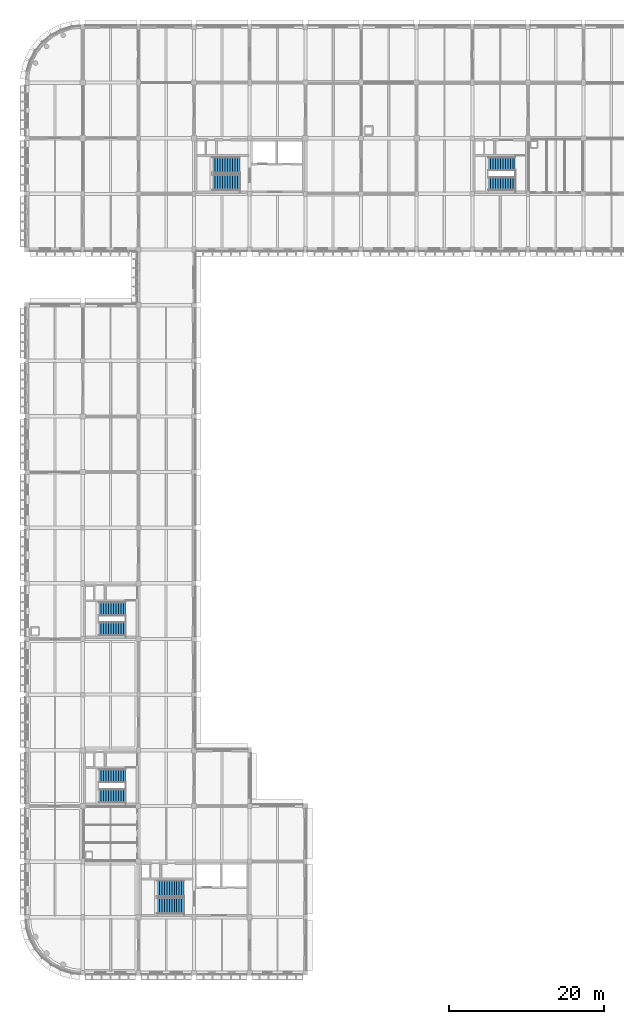
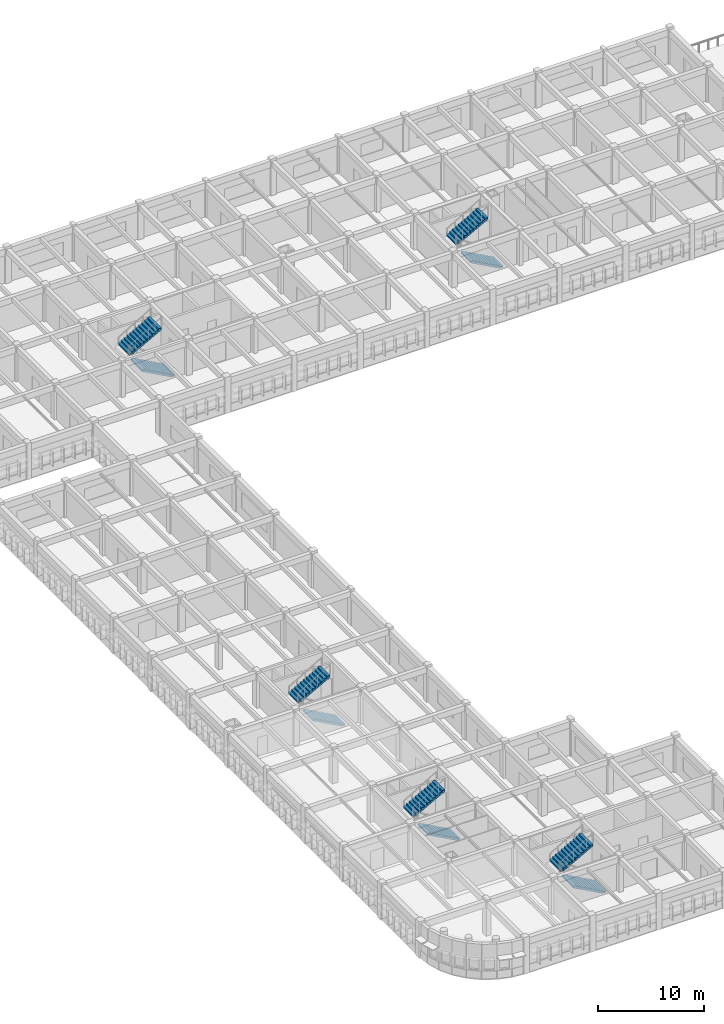
# One storey, part 32 of 38: 10 stair flights, 5 elements without a shape of their own.
"""IFC4 building model written with IfcOpenShell, lengths in metres."""

from ifc_helpers import new_model, si_unit, direction, frame, origin, place, context, subcontext, project, spatial, polyline, outline, extrude, material, type_object, element, aggregate, save


model = new_model("IFC4")

# Units and contexts
model_context = context("Model", 3, precision=1e-05, world=origin(), true_north=direction((0.0, 1.0)))
body_context = subcontext(model_context, "Body", "Model", "MODEL_VIEW")
ifc_project = project(units=[si_unit("LENGTHUNIT", "METRE"), si_unit("AREAUNIT", "SQUARE_METRE"), si_unit("VOLUMEUNIT", "CUBIC_METRE"), si_unit("PLANEANGLEUNIT", "RADIAN"), si_unit("MASSUNIT", "GRAM", prefix="KILO")], contexts=[model_context])

# Site, building, storey
site_placement = place(None, origin())
site = spatial("IfcSite", under=ifc_project, at=site_placement, CompositionType="ELEMENT")
building_placement = place(site_placement, origin())
building = spatial("IfcBuilding", under=site, at=building_placement, Name="Thalmaran Polytechnic", CompositionType="ELEMENT")
storey_placement = place(building_placement, frame((0.0, 0.0, 18.60009765625)))
storey = spatial("IfcBuildingStorey", under=building, at=storey_placement, Name="L04", CompositionType="ELEMENT", Elevation=18.60009765625)

# Stair, stair flights
ifc_material = material(Name="Concrete C40/50", Category="concrete")
stair_type = type_object("IfcStairType", Name="ST-HT42", PredefinedType="HALF_TURN_STAIR", material=ifc_material)
stair_1_placement = place(storey_placement, origin())
stair_1 = element("IfcStair", 1, at=stair_1_placement, inside=storey, type_object=stair_type, Name="Exit Stair ST1 L04", PredefinedType="HALF_TURN_STAIR")
stair_flight_type = type_object("IfcStairFlightType", Name="SF-FL13", PredefinedType="STRAIGHT", material=ifc_material)
stair_flight_1_placement = place(storey_placement, frame((20.320068359375, 8.56005859375, 0.0), z_axis=(0.0, 0.0, 1.0), x_axis=(-1.0, 0.0, 0.0)))
stair_flight_1 = element("IfcStairFlight", 2, at=stair_flight_1_placement, type_object=stair_flight_type, Name="Stair Flight ST1 L04 Lower", NumberOfRisers=12, NumberOfTreads=11, PredefinedType="STRAIGHT", RiserHeight=0.175, TreadLength=0.32, context=body_context, shape_type="SweptSolid", body=[
    extrude(outline(polyline([(0.0, 0.0), (0.0, 0.175048828125), (0.320068359375, 0.175048828125), (0.320068359375, 0.35009765625), (0.639892578125, 0.35009765625), (0.639892578125, 0.52490234375), (0.9599609375, 0.52490234375), (0.9599609375, 0.699951171875), (1.280029296875, 0.699951171875), (1.280029296875, 0.875), (1.60009765625, 0.875), (1.60009765625, 1.050048828125), (1.919921875, 1.050048828125), (1.919921875, 1.22509765625), (2.239990234375, 1.22509765625), (2.239990234375, 1.39990234375), (2.56005859375, 1.39990234375), (2.56005859375, 1.574951171875), (2.8798828125, 1.574951171875), (2.8798828125, 1.75), (3.199951171875, 1.75), (3.199951171875, 1.925048828125), (3.52001953125, 1.925048828125), (3.52001953125, 2.10009765625), (3.52001953125, 1.719970703125), (0.375, 0.0), (0.0, 0.0)])), frame((0.0, 1.080078125, 0.0), z_axis=(0.0, -1.0, 0.0), x_axis=(1.0, 0.0, 0.0)), (0.0, 0.0, 1.0), 2.159912109375),
])
stair_flight_2_placement = place(storey_placement, frame((16.800048828125, 11.02001953125, 2.099853515625), z_axis=(0.0, 0.0, 1.0), x_axis=(1.0, 0.0, 0.0)))
stair_flight_2 = element("IfcStairFlight", 3, at=stair_flight_2_placement, type_object=stair_flight_type, Name="Stair Flight ST1 L04 Upper", NumberOfRisers=12, NumberOfTreads=11, PredefinedType="STRAIGHT", RiserHeight=0.175, TreadLength=0.32, context=body_context, shape_type="SweptSolid", body=[
    extrude(outline(polyline([(0.0, 0.0), (0.0, 0.175048828125), (0.320068359375, 0.175048828125), (0.320068359375, 0.35009765625), (0.639892578125, 0.35009765625), (0.639892578125, 0.52490234375), (0.9599609375, 0.52490234375), (0.9599609375, 0.699951171875), (1.280029296875, 0.699951171875), (1.280029296875, 0.875), (1.60009765625, 0.875), (1.60009765625, 1.050048828125), (1.919921875, 1.050048828125), (1.919921875, 1.22509765625), (2.239990234375, 1.22509765625), (2.239990234375, 1.39990234375), (2.56005859375, 1.39990234375), (2.56005859375, 1.574951171875), (2.8798828125, 1.574951171875), (2.8798828125, 1.75), (3.199951171875, 1.75), (3.199951171875, 1.925048828125), (3.52001953125, 1.925048828125), (3.52001953125, 2.10009765625), (3.52001953125, 1.719970703125), (0.375, 0.0), (0.0, 0.0)])), frame((0.0, 1.080078125, 0.0), z_axis=(0.0, -1.0, 0.0), x_axis=(1.0, 0.0, 0.0)), (0.0, 0.0, 1.0), 2.159912109375),
])
aggregate(stair_1, [stair_flight_1, stair_flight_2])

stair_2_placement = place(storey_placement, origin())
stair_2 = element("IfcStair", 4, at=stair_2_placement, inside=storey, type_object=stair_type, Name="Exit Stair ST2 L04", PredefinedType="HALF_TURN_STAIR")
stair_flight_3_placement = place(storey_placement, frame((27.52001953125, 102.159912109375, 0.0), z_axis=(0.0, 0.0, 1.0), x_axis=(-1.0, 0.0, 0.0)))
stair_flight_3 = element("IfcStairFlight", 5, at=stair_flight_3_placement, type_object=stair_flight_type, Name="Stair Flight ST2 L04 Lower", NumberOfRisers=12, NumberOfTreads=11, PredefinedType="STRAIGHT", RiserHeight=0.175, TreadLength=0.32, context=body_context, shape_type="SweptSolid", body=[
    extrude(outline(polyline([(0.0, 0.0), (0.0, 0.175048828125), (0.320068359375, 0.175048828125), (0.320068359375, 0.35009765625), (0.639892578125, 0.35009765625), (0.639892578125, 0.52490234375), (0.9599609375, 0.52490234375), (0.9599609375, 0.699951171875), (1.280029296875, 0.699951171875), (1.280029296875, 0.875), (1.60009765625, 0.875), (1.60009765625, 1.050048828125), (1.919921875, 1.050048828125), (1.919921875, 1.22509765625), (2.239990234375, 1.22509765625), (2.239990234375, 1.39990234375), (2.56005859375, 1.39990234375), (2.56005859375, 1.574951171875), (2.8798828125, 1.574951171875), (2.8798828125, 1.75), (3.199951171875, 1.75), (3.199951171875, 1.925048828125), (3.52001953125, 1.925048828125), (3.52001953125, 2.10009765625), (3.52001953125, 1.719970703125), (0.375, 0.0), (0.0, 0.0)])), frame((0.0, 1.080078125, 0.0), z_axis=(0.0, -1.0, 0.0), x_axis=(1.0, 0.0, 0.0)), (0.0, 0.0, 1.0), 2.159912109375),
])
stair_flight_4_placement = place(storey_placement, frame((24.0, 104.6201171875, 2.099853515625), z_axis=(0.0, 0.0, 1.0), x_axis=(1.0, 0.0, 0.0)))
stair_flight_4 = element("IfcStairFlight", 6, at=stair_flight_4_placement, type_object=stair_flight_type, Name="Stair Flight ST2 L04 Upper", NumberOfRisers=12, NumberOfTreads=11, PredefinedType="STRAIGHT", RiserHeight=0.175, TreadLength=0.32, context=body_context, shape_type="SweptSolid", body=[
    extrude(outline(polyline([(0.0, 0.0), (0.0, 0.175048828125), (0.320068359375, 0.175048828125), (0.320068359375, 0.35009765625), (0.639892578125, 0.35009765625), (0.639892578125, 0.52490234375), (0.9599609375, 0.52490234375), (0.9599609375, 0.699951171875), (1.280029296875, 0.699951171875), (1.280029296875, 0.875), (1.60009765625, 0.875), (1.60009765625, 1.050048828125), (1.919921875, 1.050048828125), (1.919921875, 1.22509765625), (2.239990234375, 1.22509765625), (2.239990234375, 1.39990234375), (2.56005859375, 1.39990234375), (2.56005859375, 1.574951171875), (2.8798828125, 1.574951171875), (2.8798828125, 1.75), (3.199951171875, 1.75), (3.199951171875, 1.925048828125), (3.52001953125, 1.925048828125), (3.52001953125, 2.10009765625), (3.52001953125, 1.719970703125), (0.375, 0.0), (0.0, 0.0)])), frame((0.0, 1.080078125, 0.0), z_axis=(0.0, -1.0, 0.0), x_axis=(1.0, 0.0, 0.0)), (0.0, 0.0, 1.0), 2.159912109375),
])
aggregate(stair_2, [stair_flight_3, stair_flight_4])

stair_3_placement = place(storey_placement, origin())
stair_3 = element("IfcStair", 7, at=stair_3_placement, inside=storey, type_object=stair_type, Name="Exit Stair ST3 L04", PredefinedType="HALF_TURN_STAIR")
stair_flight_5_placement = place(storey_placement, frame((12.760009765625, 22.7900390625, 0.0), z_axis=(0.0, 0.0, 1.0), x_axis=(-1.0, 0.0, 0.0)))
stair_flight_5 = element("IfcStairFlight", 8, at=stair_flight_5_placement, type_object=stair_flight_type, Name="Stair Flight ST3 L04 Lower", NumberOfRisers=12, NumberOfTreads=11, PredefinedType="STRAIGHT", RiserHeight=0.175, TreadLength=0.318182, context=body_context, shape_type="SweptSolid", body=[
    extrude(outline(polyline([(0.0, 0.0), (0.0, 0.175048828125), (0.318115234375, 0.175048828125), (0.318115234375, 0.35009765625), (0.636474609375, 0.35009765625), (0.636474609375, 0.52490234375), (0.95458984375, 0.52490234375), (0.95458984375, 0.699951171875), (1.272705078125, 0.699951171875), (1.272705078125, 0.875), (1.5908203125, 0.875), (1.5908203125, 1.050048828125), (1.9091796875, 1.050048828125), (1.9091796875, 1.22509765625), (2.227294921875, 1.22509765625), (2.227294921875, 1.39990234375), (2.54541015625, 1.39990234375), (2.54541015625, 1.574951171875), (2.863525390625, 1.574951171875), (2.863525390625, 1.75), (3.181884765625, 1.75), (3.181884765625, 1.925048828125), (3.5, 1.925048828125), (3.5, 2.10009765625), (3.5, 1.7197265625), (0.373291015625, 0.0), (0.0, 0.0)])), frame((0.0, 0.91015625, 0.0), z_axis=(0.0, -1.0, 0.0), x_axis=(1.0, 0.0, 0.0)), (0.0, 0.0, 1.0), 1.820068359375),
])
stair_flight_6_placement = place(storey_placement, frame((9.260009765625, 25.590087890625, 2.099853515625), z_axis=(0.0, 0.0, 1.0), x_axis=(1.0, 0.0, 0.0)))
stair_flight_6 = element("IfcStairFlight", 9, at=stair_flight_6_placement, type_object=stair_flight_type, Name="Stair Flight ST3 L04 Upper", NumberOfRisers=12, NumberOfTreads=11, PredefinedType="STRAIGHT", RiserHeight=0.175, TreadLength=0.318182, context=body_context, shape_type="SweptSolid", body=[
    extrude(outline(polyline([(0.0, 0.0), (0.0, 0.175048828125), (0.318115234375, 0.175048828125), (0.318115234375, 0.35009765625), (0.636474609375, 0.35009765625), (0.636474609375, 0.52490234375), (0.95458984375, 0.52490234375), (0.95458984375, 0.699951171875), (1.272705078125, 0.699951171875), (1.272705078125, 0.875), (1.5908203125, 0.875), (1.5908203125, 1.050048828125), (1.9091796875, 1.050048828125), (1.9091796875, 1.22509765625), (2.227294921875, 1.22509765625), (2.227294921875, 1.39990234375), (2.54541015625, 1.39990234375), (2.54541015625, 1.574951171875), (2.863525390625, 1.574951171875), (2.863525390625, 1.75), (3.181884765625, 1.75), (3.181884765625, 1.925048828125), (3.5, 1.925048828125), (3.5, 2.10009765625), (3.5, 1.7197265625), (0.373291015625, 0.0), (0.0, 0.0)])), frame((0.0, 0.91015625, 0.0), z_axis=(0.0, -1.0, 0.0), x_axis=(1.0, 0.0, 0.0)), (0.0, 0.0, 1.0), 1.820068359375),
])
aggregate(stair_3, [stair_flight_5, stair_flight_6])

stair_4_placement = place(storey_placement, origin())
stair_4 = element("IfcStair", 10, at=stair_4_placement, inside=storey, type_object=stair_type, Name="Exit Stair ST4 L04", PredefinedType="HALF_TURN_STAIR")
stair_flight_7_placement = place(storey_placement, frame((12.760009765625, 44.389892578125, 0.0), z_axis=(0.0, 0.0, 1.0), x_axis=(-1.0, 0.0, 0.0)))
stair_flight_7 = element("IfcStairFlight", 11, at=stair_flight_7_placement, type_object=stair_flight_type, Name="Stair Flight ST4 L04 Lower", NumberOfRisers=12, NumberOfTreads=11, PredefinedType="STRAIGHT", RiserHeight=0.175, TreadLength=0.318182, context=body_context, shape_type="SweptSolid", body=[
    extrude(outline(polyline([(0.0, 0.0), (0.0, 0.175048828125), (0.318115234375, 0.175048828125), (0.318115234375, 0.35009765625), (0.636474609375, 0.35009765625), (0.636474609375, 0.52490234375), (0.95458984375, 0.52490234375), (0.95458984375, 0.699951171875), (1.272705078125, 0.699951171875), (1.272705078125, 0.875), (1.5908203125, 0.875), (1.5908203125, 1.050048828125), (1.9091796875, 1.050048828125), (1.9091796875, 1.22509765625), (2.227294921875, 1.22509765625), (2.227294921875, 1.39990234375), (2.54541015625, 1.39990234375), (2.54541015625, 1.574951171875), (2.863525390625, 1.574951171875), (2.863525390625, 1.75), (3.181884765625, 1.75), (3.181884765625, 1.925048828125), (3.5, 1.925048828125), (3.5, 2.10009765625), (3.5, 1.7197265625), (0.373291015625, 0.0), (0.0, 0.0)])), frame((0.0, 0.91015625, 0.0), z_axis=(0.0, -1.0, 0.0), x_axis=(1.0, 0.0, 0.0)), (0.0, 0.0, 1.0), 1.820068359375),
])
stair_flight_8_placement = place(storey_placement, frame((9.260009765625, 47.18994140625, 2.099853515625), z_axis=(0.0, 0.0, 1.0), x_axis=(1.0, 0.0, 0.0)))
stair_flight_8 = element("IfcStairFlight", 12, at=stair_flight_8_placement, type_object=stair_flight_type, Name="Stair Flight ST4 L04 Upper", NumberOfRisers=12, NumberOfTreads=11, PredefinedType="STRAIGHT", RiserHeight=0.175, TreadLength=0.318182, context=body_context, shape_type="SweptSolid", body=[
    extrude(outline(polyline([(0.0, 0.0), (0.0, 0.175048828125), (0.318115234375, 0.175048828125), (0.318115234375, 0.35009765625), (0.636474609375, 0.35009765625), (0.636474609375, 0.52490234375), (0.95458984375, 0.52490234375), (0.95458984375, 0.699951171875), (1.272705078125, 0.699951171875), (1.272705078125, 0.875), (1.5908203125, 0.875), (1.5908203125, 1.050048828125), (1.9091796875, 1.050048828125), (1.9091796875, 1.22509765625), (2.227294921875, 1.22509765625), (2.227294921875, 1.39990234375), (2.54541015625, 1.39990234375), (2.54541015625, 1.574951171875), (2.863525390625, 1.574951171875), (2.863525390625, 1.75), (3.181884765625, 1.75), (3.181884765625, 1.925048828125), (3.5, 1.925048828125), (3.5, 2.10009765625), (3.5, 1.7197265625), (0.373291015625, 0.0), (0.0, 0.0)])), frame((0.0, 0.91015625, 0.0), z_axis=(0.0, -1.0, 0.0), x_axis=(1.0, 0.0, 0.0)), (0.0, 0.0, 1.0), 1.820068359375),
])
aggregate(stair_4, [stair_flight_7, stair_flight_8])

stair_5_placement = place(storey_placement, origin())
stair_5 = element("IfcStair", 13, at=stair_5_placement, inside=storey, type_object=stair_type, Name="Exit Stair ST6 L04", PredefinedType="HALF_TURN_STAIR")
stair_flight_9_placement = place(storey_placement, frame((63.159912109375, 101.989990234375, 0.0), z_axis=(0.0, 0.0, 1.0), x_axis=(-1.0, 0.0, 0.0)))
stair_flight_9 = element("IfcStairFlight", 14, at=stair_flight_9_placement, type_object=stair_flight_type, Name="Stair Flight ST6 L04 Lower", NumberOfRisers=12, NumberOfTreads=11, PredefinedType="STRAIGHT", RiserHeight=0.175, TreadLength=0.318182, context=body_context, shape_type="SweptSolid", body=[
    extrude(outline(polyline([(0.0, 0.0), (0.0, 0.175048828125), (0.318115234375, 0.175048828125), (0.318115234375, 0.35009765625), (0.636474609375, 0.35009765625), (0.636474609375, 0.52490234375), (0.95458984375, 0.52490234375), (0.95458984375, 0.699951171875), (1.272705078125, 0.699951171875), (1.272705078125, 0.875), (1.5908203125, 0.875), (1.5908203125, 1.050048828125), (1.9091796875, 1.050048828125), (1.9091796875, 1.22509765625), (2.227294921875, 1.22509765625), (2.227294921875, 1.39990234375), (2.54541015625, 1.39990234375), (2.54541015625, 1.574951171875), (2.863525390625, 1.574951171875), (2.863525390625, 1.75), (3.181884765625, 1.75), (3.181884765625, 1.925048828125), (3.5, 1.925048828125), (3.5, 2.10009765625), (3.5, 1.7197265625), (0.373291015625, 0.0), (0.0, 0.0)])), frame((0.0, 0.91015625, 0.0), z_axis=(0.0, -1.0, 0.0), x_axis=(1.0, 0.0, 0.0)), (0.0, 0.0, 1.0), 1.820068359375),
])
stair_flight_10_placement = place(storey_placement, frame((59.659912109375, 104.7900390625, 2.099853515625), z_axis=(0.0, 0.0, 1.0), x_axis=(1.0, 0.0, 0.0)))
stair_flight_10 = element("IfcStairFlight", 15, at=stair_flight_10_placement, type_object=stair_flight_type, Name="Stair Flight ST6 L04 Upper", NumberOfRisers=12, NumberOfTreads=11, PredefinedType="STRAIGHT", RiserHeight=0.175, TreadLength=0.318182, context=body_context, shape_type="SweptSolid", body=[
    extrude(outline(polyline([(0.0, 0.0), (0.0, 0.175048828125), (0.318115234375, 0.175048828125), (0.318115234375, 0.35009765625), (0.636474609375, 0.35009765625), (0.636474609375, 0.52490234375), (0.95458984375, 0.52490234375), (0.95458984375, 0.699951171875), (1.272705078125, 0.699951171875), (1.272705078125, 0.875), (1.5908203125, 0.875), (1.5908203125, 1.050048828125), (1.9091796875, 1.050048828125), (1.9091796875, 1.22509765625), (2.227294921875, 1.22509765625), (2.227294921875, 1.39990234375), (2.54541015625, 1.39990234375), (2.54541015625, 1.574951171875), (2.863525390625, 1.574951171875), (2.863525390625, 1.75), (3.181884765625, 1.75), (3.181884765625, 1.925048828125), (3.5, 1.925048828125), (3.5, 2.10009765625), (3.5, 1.7197265625), (0.373291015625, 0.0), (0.0, 0.0)])), frame((0.0, 0.91015625, 0.0), z_axis=(0.0, -1.0, 0.0), x_axis=(1.0, 0.0, 0.0)), (0.0, 0.0, 1.0), 1.820068359375),
])
aggregate(stair_5, [stair_flight_9, stair_flight_10])

save(model, "model.ifc")
